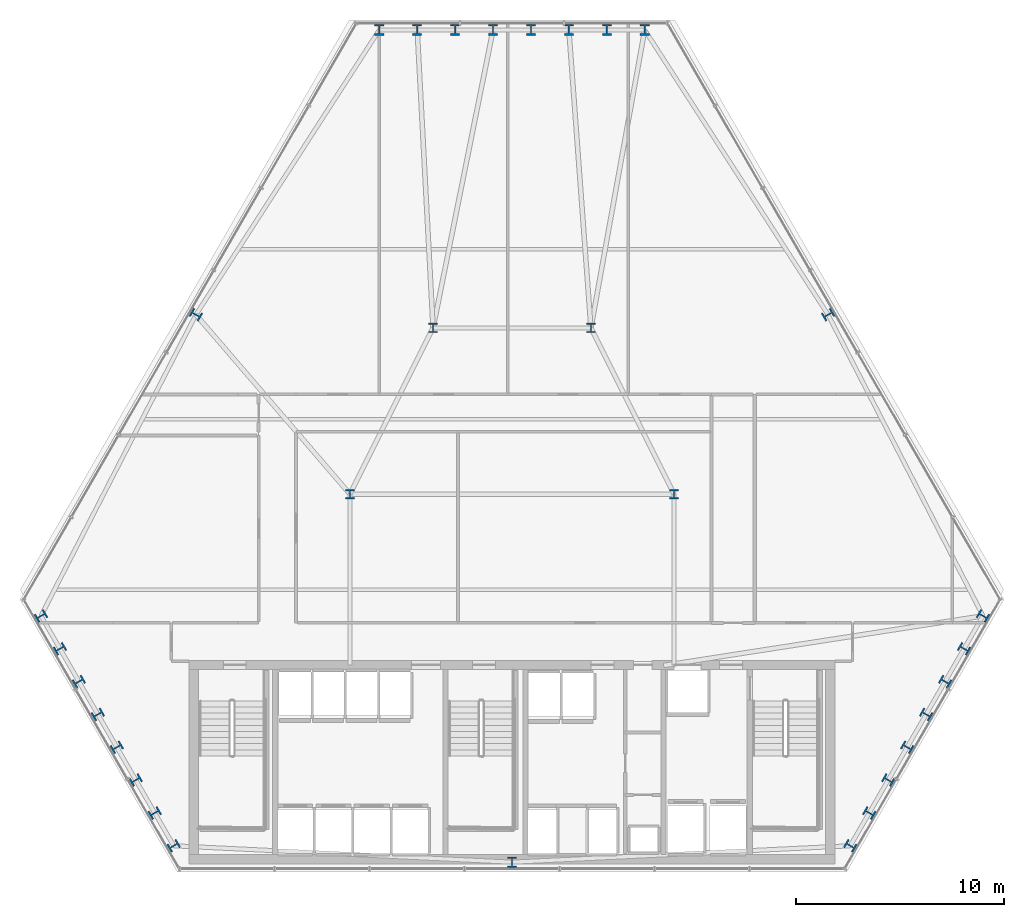
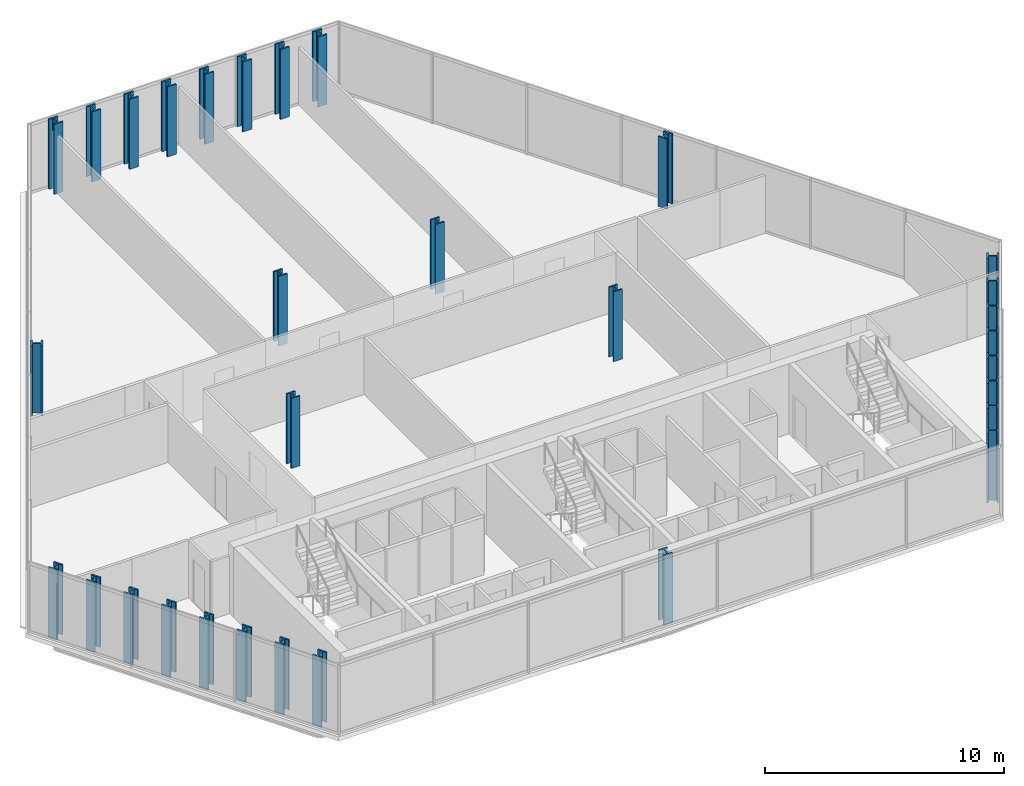
# One storey, part 1 of 32: 31 columns.
"""IFC4 building model written with IfcOpenShell, lengths in metres."""

from ifc_helpers import new_model, si_unit, direction, frame, origin, origin_2d, place, context, subcontext, project, spatial, i_section, extrude, material, material_profile, profile_set, type_object, element, save


model = new_model("IFC4")

# Units and contexts
model_context = context("Model", 3, precision=1e-05, world=origin(), true_north=direction((0.0, 1.0)))
body_context = subcontext(model_context, "Body", "Model", "MODEL_VIEW")
ifc_project = project(units=[si_unit("LENGTHUNIT", "METRE"), si_unit("AREAUNIT", "SQUARE_METRE"), si_unit("VOLUMEUNIT", "CUBIC_METRE"), si_unit("PLANEANGLEUNIT", "RADIAN"), si_unit("MASSUNIT", "GRAM", prefix="KILO")], contexts=[model_context])

# Site, building, storey
site_placement = place(None, origin())
site = spatial("IfcSite", under=ifc_project, at=site_placement, CompositionType="ELEMENT")
building_placement = place(site_placement, origin())
building = spatial("IfcBuilding", under=site, at=building_placement, Name="Ndaravel Arena Tower", CompositionType="ELEMENT")
storey_placement = place(building_placement, frame((0.0, 0.0, 70.199951171875)))
storey = spatial("IfcBuildingStorey", under=building, at=storey_placement, Name="L15", CompositionType="ELEMENT", Elevation=70.199951171875)

# Columns
ifc_material_1 = material(Name="Steel S460", Category="steel")
ifc_material_profile_1 = material_profile(ifc_material_1, i_section(OverallWidth=0.41845703125, OverallDepth=0.45556640625, WebThickness=0.0419921875, FlangeThickness=0.0673828125, FilletRadius=0.01513671875, at=origin_2d()), Name="UC 356x406x551")
ifc_profile_set_1 = profile_set([ifc_material_profile_1], Name="Steel S460")
column_type_1 = type_object("IfcColumnType", Name="COL-INT-UC551", PredefinedType="COLUMN", material=ifc_profile_set_1)
for number, where, z_axis, x_axis, name in (
    (1, (34.199951171875, 23.199951171875, 0.0), (0.0, 0.0, 1.0), (1.0, 0.0, 0.0), "L15 Interior Spine Column IC-01"),
    (2, (49.800048828125, 23.199951171875, 0.0), (0.0, 0.0, 1.0), (1.0, 0.0, 0.0), "L15 Interior Spine Column IC-02"),
    (3, (38.199951171875, 31.199951171875, 0.0), (0.0, 0.0, 1.0), (1.0, 0.0, 0.0), "L15 Interior Spine Column IC-03"),
    (4, (45.800048828125, 31.199951171875, 0.0), (0.0, 0.0, 1.0), (1.0, 0.0, 0.0), "L15 Interior Spine Column IC-04"),
):
    element("IfcColumn", number, at=place(storey_placement, frame(where, z_axis=z_axis, x_axis=x_axis)), inside=storey, type_object=column_type_1, Name=name, PredefinedType="COLUMN", context=body_context, shape_type="SweptSolid", body=[
        extrude(i_section(OverallWidth=0.41845703125, OverallDepth=0.45556640625, WebThickness=0.0419921875, FlangeThickness=0.0673828125, FilletRadius=0.01513671875, at=origin_2d()), origin(), (0.0, 0.0, 1.0), 3.580078125),
    ])
ifc_material_2 = material(Name="Steel S460", Category="steel")
ifc_material_profile_2 = material_profile(ifc_material_2, i_section(OverallWidth=0.43701171875, OverallDepth=0.513916015625, WebThickness=0.060546875, FlangeThickness=0.076904296875, FilletRadius=0.014892578125, at=origin_2d()), Name="HD 400x818")
ifc_profile_set_2 = profile_set([ifc_material_profile_2], Name="Steel S460")
column_type_2 = type_object("IfcColumnType", Name="COL-TUBE-HD818", PredefinedType="COLUMN", material=ifc_profile_set_2)
for number, where, z_axis, x_axis, name in (
    (5, (42.0, 5.47998046875, 0.0), (0.0, 0.0, 1.0), (1.0, 0.0, 0.0), "L15 Framed Tube Column TC-01"),
    (6, (58.28662109375, 6.2705078125, 0.0), (0.0, 0.0, 1.0), (0.5, 0.866025403784, 0.0), "L15 Framed Tube Column TC-02"),
    (7, (59.19921875, 7.851318359375, 0.0), (0.0, 0.0, 1.0), (0.5, 0.866025403784, 0.0), "L15 Framed Tube Column TC-03"),
    (8, (60.11181640625, 9.43212890625, 0.0), (0.0, 0.0, 1.0), (0.5, 0.866025403784, 0.0), "L15 Framed Tube Column TC-04"),
    (9, (61.024658203125, 11.01318359375, 0.0), (0.0, 0.0, 1.0), (0.5, 0.866025403784, 0.0), "L15 Framed Tube Column TC-05"),
    (10, (61.9375, 12.593994140625, 0.0), (0.0, 0.0, 1.0), (0.5, 0.866025403784, 0.0), "L15 Framed Tube Column TC-06"),
    (11, (62.85009765625, 14.1748046875, 0.0), (0.0, 0.0, 1.0), (0.5, 0.866025403784, 0.0), "L15 Framed Tube Column TC-07"),
    (12, (63.7626953125, 15.755859375, 0.0), (0.0, 0.0, 1.0), (0.5, 0.866025403784, 0.0), "L15 Framed Tube Column TC-08"),
    (13, (64.675537109375, 17.336669921875, 0.0), (0.0, 0.0, 1.0), (0.5, 0.866025403784, 0.0), "L15 Framed Tube Column TC-09"),
    (14, (57.216796875, 31.836181640625, 0.0), (0.0, 0.0, 1.0), (-0.5, 0.866025403784, 0.0), "L15 Framed Tube Column TC-10"),
    (15, (48.38916015625, 45.545654296875, 0.0), (0.0, 0.0, 1.0), (1.0, 0.0, 0.0), "L15 Framed Tube Column TC-11"),
    (16, (46.563720703125, 45.545654296875, 0.0), (0.0, 0.0, 1.0), (1.0, 0.0, 0.0), "L15 Framed Tube Column TC-12"),
    (17, (44.73828125, 45.545654296875, 0.0), (0.0, 0.0, 1.0), (1.0, 0.0, 0.0), "L15 Framed Tube Column TC-13"),
    (18, (42.91259765625, 45.545654296875, 0.0), (0.0, 0.0, 1.0), (1.0, 0.0, 0.0), "L15 Framed Tube Column TC-14"),
    (19, (41.08740234375, 45.545654296875, 0.0), (0.0, 0.0, 1.0), (1.0, 0.0, 0.0), "L15 Framed Tube Column TC-15"),
    (20, (39.26171875, 45.545654296875, 0.0), (0.0, 0.0, 1.0), (1.0, 0.0, 0.0), "L15 Framed Tube Column TC-16"),
    (21, (37.436279296875, 45.545654296875, 0.0), (0.0, 0.0, 1.0), (1.0, 0.0, 0.0), "L15 Framed Tube Column TC-17"),
    (22, (35.61083984375, 45.545654296875, 0.0), (0.0, 0.0, 1.0), (1.0, 0.0, 0.0), "L15 Framed Tube Column TC-18"),
    (23, (26.783203125, 31.836181640625, 0.0), (0.0, 0.0, 1.0), (0.5, 0.866025403784, 0.0), "L15 Framed Tube Column TC-19"),
    (24, (19.324462890625, 17.336669921875, 0.0), (0.0, 0.0, 1.0), (-0.5, 0.866025403784, 0.0), "L15 Framed Tube Column TC-20"),
    (25, (20.2373046875, 15.755859375, 0.0), (0.0, 0.0, 1.0), (-0.5, 0.866025403784, 0.0), "L15 Framed Tube Column TC-21"),
    (26, (21.14990234375, 14.1748046875, 0.0), (0.0, 0.0, 1.0), (-0.5, 0.866025403784, 0.0), "L15 Framed Tube Column TC-22"),
    (27, (22.0625, 12.593994140625, 0.0), (0.0, 0.0, 1.0), (-0.5, 0.866025403784, 0.0), "L15 Framed Tube Column TC-23"),
    (28, (22.975341796875, 11.01318359375, 0.0), (0.0, 0.0, 1.0), (-0.5, 0.866025403784, 0.0), "L15 Framed Tube Column TC-24"),
    (29, (23.88818359375, 9.43212890625, 0.0), (0.0, 0.0, 1.0), (-0.5, 0.866025403784, 0.0), "L15 Framed Tube Column TC-25"),
    (30, (24.80078125, 7.851318359375, 0.0), (0.0, 0.0, 1.0), (-0.5, 0.866025403784, 0.0), "L15 Framed Tube Column TC-26"),
    (31, (25.71337890625, 6.2705078125, 0.0), (0.0, 0.0, 1.0), (-0.5, 0.866025403784, 0.0), "L15 Framed Tube Column TC-27"),
):
    element("IfcColumn", number, at=place(storey_placement, frame(where, z_axis=z_axis, x_axis=x_axis)), inside=storey, type_object=column_type_2, Name=name, PredefinedType="COLUMN", context=body_context, shape_type="SweptSolid", body=[
        extrude(i_section(OverallWidth=0.43701171875, OverallDepth=0.513916015625, WebThickness=0.060546875, FlangeThickness=0.076904296875, FilletRadius=0.014892578125, at=origin_2d()), origin(), (0.0, 0.0, 1.0), 3.580078125),
    ])

save(model, "model.ifc")
